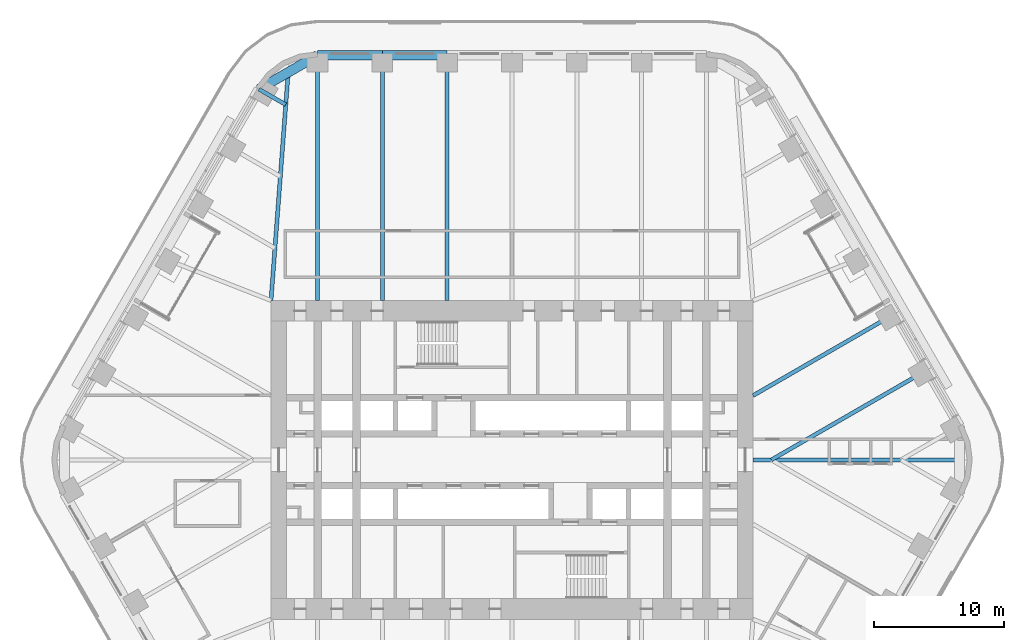
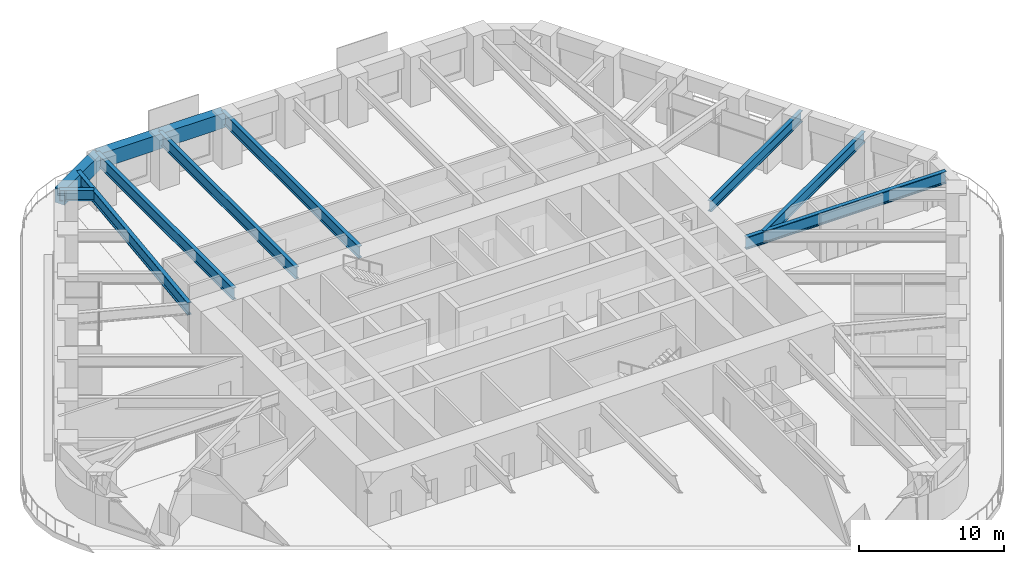
# One storey, part 10 of 24: 11 beams.
"""IFC4 building model written with IfcOpenShell, lengths in metres."""

from ifc_helpers import new_model, si_unit, direction, frame, origin, origin_2d, place, context, subcontext, project, spatial, rectangle, i_section, extrude, material, material_profile, profile_set, type_object, element, save


model = new_model("IFC4")

# Units and contexts
model_context = context("Model", 3, precision=1e-05, world=origin(), true_north=direction((0.0, 1.0)))
body_context = subcontext(model_context, "Body", "Model", "MODEL_VIEW")
ifc_project = project(units=[si_unit("LENGTHUNIT", "METRE"), si_unit("AREAUNIT", "SQUARE_METRE"), si_unit("VOLUMEUNIT", "CUBIC_METRE"), si_unit("PLANEANGLEUNIT", "RADIAN"), si_unit("MASSUNIT", "GRAM", prefix="KILO")], contexts=[model_context])

# Site, building, storey
site_placement = place(None, origin())
site = spatial("IfcSite", under=ifc_project, at=site_placement, CompositionType="ELEMENT")
building_placement = place(site_placement, origin())
building = spatial("IfcBuilding", under=site, at=building_placement, Name="Tarfa Lantern Tower", CompositionType="ELEMENT")
storey_placement = place(building_placement, frame((0.0, 0.0, 169.89990234375)))
storey = spatial("IfcBuildingStorey", under=building, at=storey_placement, Name="L38", CompositionType="ELEMENT", Elevation=169.89990234375)

# Beams
ifc_material_1 = material(Name="Concrete C80/95", Category="concrete")
ifc_material_profile_1 = material_profile(ifc_material_1, rectangle(XDim=0.75, YDim=1.25, at=origin_2d()), Name="RC 750x1250")
ifc_profile_set_1 = profile_set([ifc_material_profile_1], Name="Concrete C80/95")
beam_type_1 = type_object("IfcBeamType", Name="EB2 RC 750x1250", PredefinedType="SPANDREL", material=ifc_profile_set_1)
for number, where, z_axis, x_axis, name in (
    (1, (-5.003662109375, 31.219970703125, 3.375), (-1.0, 0.0, 0.0), (0.0, -1.0, 0.0), "Edge beam N4"),
    (2, (-10.00732421875, 31.219970703125, 3.375), (-1.0, 0.0, 0.0), (0.0, -1.0, 0.0), "Edge beam N5"),
):
    element("IfcBeam", number, at=place(storey_placement, frame(where, z_axis=z_axis, x_axis=x_axis)), inside=storey, type_object=beam_type_1, Name=name, PredefinedType="SPANDREL", context=body_context, shape_type="SweptSolid", body=[
        extrude(rectangle(XDim=0.75, YDim=1.25, at=origin_2d()), origin(), (0.0, 0.0, 1.0), 5.003662109375),
    ])
beam_1_placement = place(storey_placement, frame((-15.010986328125, 31.219970703125, 3.375), z_axis=(-0.86604150238, -0.499972115377, 0.0), x_axis=(0.499972115377, -0.86604150238, 0.0)))
element("IfcBeam", 3, at=beam_1_placement, inside=storey, type_object=beam_type_1, Name="Edge beam N6", PredefinedType="SPANDREL", context=body_context, shape_type="SweptSolid", body=[
    extrude(rectangle(XDim=0.75, YDim=1.25, at=origin_2d()), origin(), (0.0, 0.0, 1.0), 5.219970703125),
])
ifc_material_2 = material(Name="Steel S460M", Category="steel")
ifc_material_profile_2 = material_profile(ifc_material_2, i_section(OverallWidth=0.302001953125, OverallDepth=1.008056640625, WebThickness=0.02099609375, FlangeThickness=0.0400390625, FilletRadius=0.030029296875, at=origin_2d()), Name="UB1016x305x349")
ifc_profile_set_2 = profile_set([ifc_material_profile_2], Name="Steel S460M")
beam_type_2 = type_object("IfcBeamType", Name="UB1016x305x349", PredefinedType="BEAM", material=ifc_profile_set_2)
for number, where, z_axis, x_axis, name in (
    (4, (-5.003662109375, 31.219970703125, 3.49609375), (0.0, -1.0, 0.0), (1.0, 0.0, 0.0), "Floor beam N4"),
    (5, (-10.00732421875, 31.219970703125, 3.49609375), (0.0, -1.0, 0.0), (1.0, 0.0, 0.0), "Floor beam N5"),
    (6, (-15.010986328125, 31.219970703125, 3.49609375), (0.0, -1.0, 0.0), (1.0, 0.0, 0.0), "Floor beam N6"),
):
    element("IfcBeam", number, at=place(storey_placement, frame(where, z_axis=z_axis, x_axis=x_axis)), inside=storey, type_object=beam_type_2, Name=name, PredefinedType="BEAM", context=body_context, shape_type="SweptSolid", body=[
        extrude(i_section(OverallWidth=0.302001953125, OverallDepth=1.008056640625, WebThickness=0.02099609375, FlangeThickness=0.0400390625, FilletRadius=0.030029296875, at=origin_2d()), origin(), (0.0, 0.0, 1.0), 18.919921875),
    ])
ifc_material_profile_3 = material_profile(ifc_material_2, i_section(OverallWidth=0.30859375, OverallDepth=1.036376953125, WebThickness=0.030029296875, FlangeThickness=0.05419921875, FilletRadius=0.030029296875, at=origin_2d()), Name="UB1016x305x487")
ifc_profile_set_3 = profile_set([ifc_material_profile_3], Name="Steel S460M")
beam_type_3 = type_object("IfcBeamType", Name="UB1016x305x487", PredefinedType="BEAM", material=ifc_profile_set_3)
beam_2_placement = place(storey_placement, frame((18.60009765625, 0.0, 3.48193359375), z_axis=(1.0, 0.0, 0.0), x_axis=(0.0, 1.0, 0.0)))
element("IfcBeam", 7, at=beam_2_placement, inside=storey, type_object=beam_type_3, Name="Hip girder E", PredefinedType="BEAM", context=body_context, shape_type="SweptSolid", body=[
    extrude(i_section(OverallWidth=0.30859375, OverallDepth=1.036376953125, WebThickness=0.030029296875, FlangeThickness=0.05419921875, FilletRadius=0.030029296875, at=origin_2d()), origin(), (0.0, 0.0, 1.0), 15.94287109375),
])
beam_3_placement = place(storey_placement, frame((-18.60009765625, 12.300048828125, 3.48193359375), z_axis=(0.075211516041, 0.99716760269, 0.0), x_axis=(-0.99716760269, 0.075211516041, 0.0)))
element("IfcBeam", 8, at=beam_3_placement, inside=storey, type_object=beam_type_3, Name="Hip girder NW", PredefinedType="BEAM", context=body_context, shape_type="SweptSolid", body=[
    extrude(i_section(OverallWidth=0.30859375, OverallDepth=1.036376953125, WebThickness=0.030029296875, FlangeThickness=0.05419921875, FilletRadius=0.030029296875, at=origin_2d()), origin(), (0.0, 0.0, 1.0), 17.6650390625),
])
ifc_material_profile_4 = material_profile(ifc_material_2, i_section(OverallWidth=0.305419921875, OverallDepth=0.91845703125, WebThickness=0.017333984375, FlangeThickness=0.02783203125, FilletRadius=0.01904296875, at=origin_2d()), Name="UB914x305x253")
ifc_profile_set_4 = profile_set([ifc_material_profile_4], Name="Steel S460M")
beam_type_4 = type_object("IfcBeamType", Name="UB914x305x253", PredefinedType="BEAM", material=ifc_profile_set_4)
beam_4_placement = place(storey_placement, frame((32.041015625, 6.943359375, 3.541015625), z_axis=(-0.866023096411, -0.500003996466, 0.0), x_axis=(0.500003996466, -0.866023096411, 0.0)))
element("IfcBeam", 9, at=beam_4_placement, inside=storey, type_object=beam_type_4, Name="Floor beam NE1", PredefinedType="BEAM", context=body_context, shape_type="SweptSolid", body=[
    extrude(i_section(OverallWidth=0.305419921875, OverallDepth=0.91845703125, WebThickness=0.017333984375, FlangeThickness=0.02783203125, FilletRadius=0.01904296875, at=origin_2d()), origin(), (0.0, 0.0, 1.0), 13.88671875),
])
beam_5_placement = place(storey_placement, frame((29.5390625, 11.276611328125, 3.541015625), z_axis=(-0.866023362995, -0.500003534735, 0.0), x_axis=(0.500003534735, -0.866023362995, 0.0)))
element("IfcBeam", 10, at=beam_5_placement, inside=storey, type_object=beam_type_4, Name="Floor beam NE2", PredefinedType="BEAM", context=body_context, shape_type="SweptSolid", body=[
    extrude(i_section(OverallWidth=0.305419921875, OverallDepth=0.91845703125, WebThickness=0.017333984375, FlangeThickness=0.02783203125, FilletRadius=0.01904296875, at=origin_2d()), origin(), (0.0, 0.0, 1.0), 12.63134765625),
])
beam_6_placement = place(storey_placement, frame((-19.53173828125, 28.610107421875, 3.541015625), z_axis=(0.865998640954, -0.500046351717, 0.0), x_axis=(0.500046351717, 0.865998640954, 0.0)))
element("IfcBeam", 11, at=beam_6_placement, inside=storey, type_object=beam_type_4, Name="Floor beam NW0", PredefinedType="BEAM", context=body_context, shape_type="SweptSolid", body=[
    extrude(i_section(OverallWidth=0.305419921875, OverallDepth=0.91845703125, WebThickness=0.017333984375, FlangeThickness=0.02783203125, FilletRadius=0.01904296875, at=origin_2d()), origin(), (0.0, 0.0, 1.0), 2.392333984375),
])

save(model, "model.ifc")
